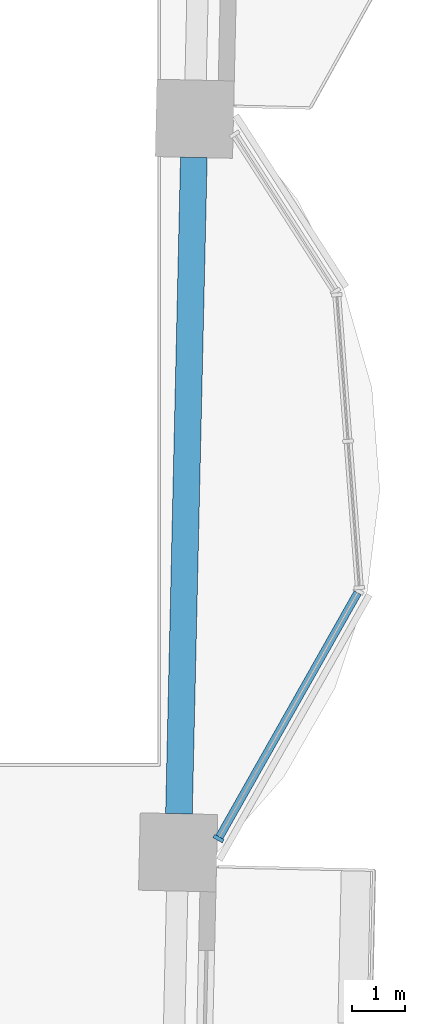
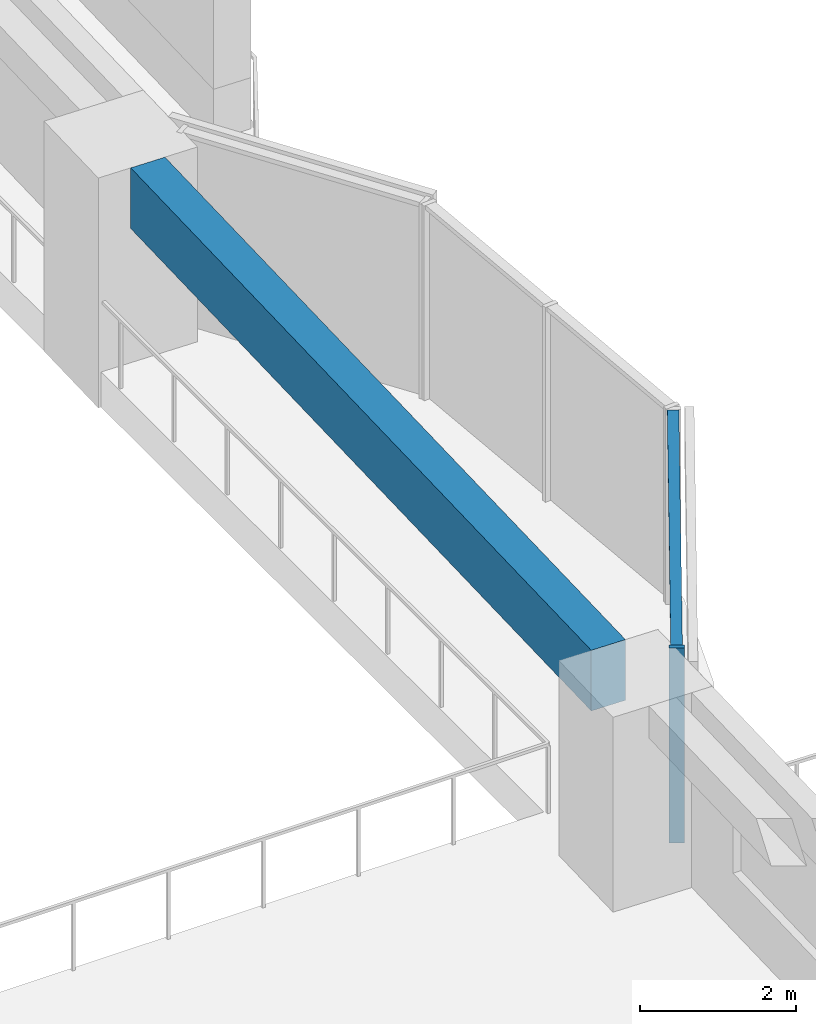
# One storey, part 2 of 18: 2 members, 1 beam, 1 element without a shape of its own.
"""IFC4 building model written with IfcOpenShell, lengths in metres."""

from ifc_helpers import new_model, si_unit, direction, frame, origin, origin_2d, place, context, subcontext, project, spatial, rectangle, extrude, material, material_profile, profile_set, type_object, element, aggregate, save


model = new_model("IFC4")

# Units and contexts
model_context = context("Model", 3, precision=1e-05, world=origin(), true_north=direction((0.0, 1.0)))
body_context = subcontext(model_context, "Body", "Model", "MODEL_VIEW")
ifc_project = project(units=[si_unit("LENGTHUNIT", "METRE"), si_unit("AREAUNIT", "SQUARE_METRE"), si_unit("VOLUMEUNIT", "CUBIC_METRE"), si_unit("PLANEANGLEUNIT", "RADIAN"), si_unit("MASSUNIT", "GRAM", prefix="KILO")], contexts=[model_context])

# Site, building, storey
site_placement = place(None, origin())
site = spatial("IfcSite", under=ifc_project, at=site_placement, CompositionType="ELEMENT")
building_placement = place(site_placement, origin())
building = spatial("IfcBuilding", under=site, at=building_placement, Name="Mangrove Gate Tower", CompositionType="ELEMENT")
storey_placement = place(building_placement, frame((0.0, 0.0, 67.5)))
storey = spatial("IfcBuildingStorey", under=building, at=storey_placement, Name="L16", CompositionType="ELEMENT", Elevation=67.5)

# Curtain wall, members
ifc_material_1 = material(Name="Aluminium and glass curtain wall", Category="aluminium")
curtain_wall_type = type_object("IfcCurtainWallType", Name="Atrium garden-court glazing wall", PredefinedType="NOTDEFINED", material=ifc_material_1)
curtain_wall_placement = place(storey_placement, origin())
curtain_wall = element("IfcCurtainWall", 1, at=curtain_wall_placement, inside=storey, type_object=curtain_wall_type, Name="Atrium garden-court glazing E1f1", PredefinedType="NOTDEFINED")
ifc_material_2 = material(Name="Aluminium alloy 6063-T6", Category="aluminium")
ifc_material_profile_1 = material_profile(ifc_material_2, rectangle(XDim=0.070068359375, YDim=0.199951171875, at=origin_2d()))
ifc_profile_set_1 = profile_set([ifc_material_profile_1], Name="Aluminium alloy 6063-T6")
member_type_1 = type_object("IfcMemberType", Name="Atrium garden-court glazing mullion 70x200", PredefinedType="MULLION", material=ifc_profile_set_1)
member_1_placement = place(storey_placement, frame((31.036865234375, -8.91943359375, 0.0), z_axis=(0.0, 0.0, 1.0), x_axis=(0.492603686489, 0.870253760726, 0.0)))
member_1 = element("IfcMember", 2, at=member_1_placement, type_object=member_type_1, Name="CWA mullion 1", PredefinedType="MULLION", context=body_context, shape_type="SweptSolid", body=[
    extrude(rectangle(XDim=0.070068359375, YDim=0.199951171875, at=origin_2d()), origin(), (0.0, 0.0, 1.0), 3.050048828125),
])
ifc_material_3 = material(Name="Aluminium alloy 6063-T6", Category="aluminium")
ifc_material_profile_2 = material_profile(ifc_material_3, rectangle(XDim=0.070068359375, YDim=0.14990234375, at=origin_2d()))
ifc_profile_set_2 = profile_set([ifc_material_profile_2], Name="Aluminium alloy 6063-T6")
member_type_2 = type_object("IfcMemberType", Name="Atrium garden-court glazing transom 70x150", PredefinedType="USERDEFINED", material=ifc_profile_set_2)
member_2_placement = place(storey_placement, frame((31.053955078125, -8.88916015625, 3.014892578125), z_axis=(0.492620111865, 0.870244463002, 0.0), x_axis=(0.0, 0.0, 1.0)))
member_2 = element("IfcMember", 3, at=member_2_placement, type_object=member_type_2, Name="CWA transom 1.2", ObjectType="TRANSOM", PredefinedType="USERDEFINED", context=body_context, shape_type="SweptSolid", body=[
    extrude(rectangle(XDim=0.070068359375, YDim=0.14990234375, at=origin_2d()), origin(), (0.0, 0.0, 1.0), 5.2587890625),
])
aggregate(curtain_wall, [member_1, member_2])

# Beam
ifc_material_4 = material(Name="Concrete C50/60", Category="concrete")
ifc_material_profile_3 = material_profile(ifc_material_4, rectangle(XDim=0.5, YDim=0.949951171875, at=origin_2d()))
ifc_profile_set_3 = profile_set([ifc_material_profile_3], Name="Concrete C50/60")
beam_type = type_object("IfcBeamType", Name="Edge beam RC 500x950 C50/60", PredefinedType="BEAM", material=ifc_profile_set_3)
beam_placement = place(storey_placement, frame((30.295654296875, -8.45263671875, 2.574951171875), z_axis=(0.022686238453, 0.999742634174, 0.0), x_axis=(-0.999742634174, 0.022686238453, 0.0)))
element("IfcBeam", 4, at=beam_placement, inside=storey, type_object=beam_type, Name="Edge beam L16 16", PredefinedType="BEAM", context=body_context, shape_type="SweptSolid", body=[
    extrude(rectangle(XDim=0.5, YDim=0.949951171875, at=origin_2d()), origin(), (0.0, 0.0, 1.0), 12.300537109375),
])

save(model, "model.ifc")
